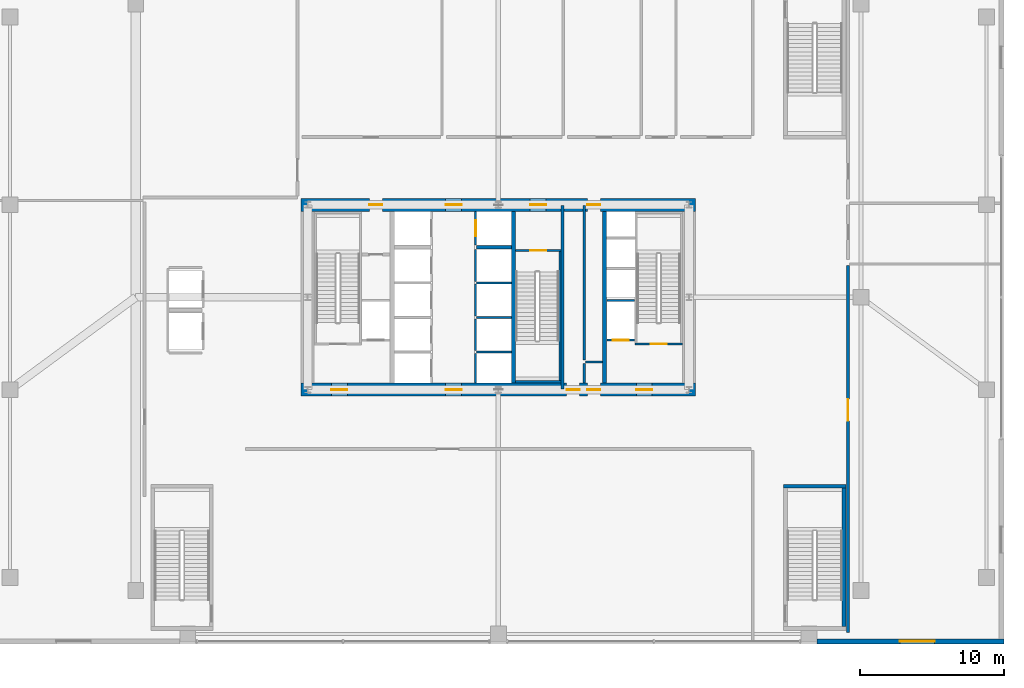
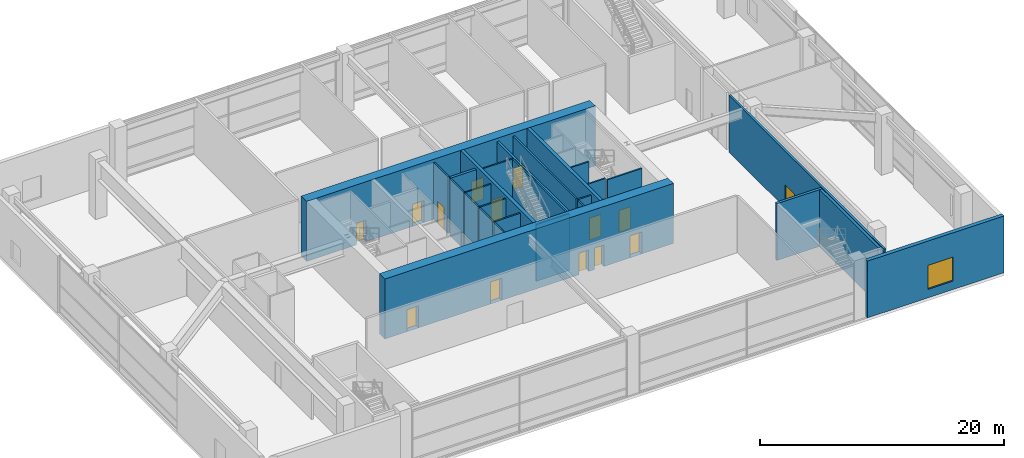
# One storey, part 34 of 39: 27 walls, 14 doors, 1 window, 15 openings.
"""IFC4 building model written with IfcOpenShell, lengths in metres."""

from ifc_helpers import new_model, si_unit, direction, frame, frame_2d, origin, place, context, subcontext, project, spatial, rectangle, extrude, source, transform, mapped, material, layer, layer_set, type_object, element, fill, save


model = new_model("IFC4")

# Units and contexts
model_context = context("Model", 3, precision=1e-05, world=origin(), true_north=direction((0.0, 1.0)))
body_context = subcontext(model_context, "Body", "Model", "MODEL_VIEW")
ifc_project = project(units=[si_unit("LENGTHUNIT", "METRE"), si_unit("AREAUNIT", "SQUARE_METRE"), si_unit("VOLUMEUNIT", "CUBIC_METRE"), si_unit("PLANEANGLEUNIT", "RADIAN"), si_unit("MASSUNIT", "GRAM", prefix="KILO"), si_unit("THERMODYNAMICTEMPERATUREUNIT", "KELVIN"), si_unit("POWERUNIT", "WATT")], contexts=[model_context])

# Site, building, storey
site_placement = place(None, origin())
site = spatial("IfcSite", under=ifc_project, at=site_placement, CompositionType="ELEMENT")
building_placement = place(site_placement, origin())
building = spatial("IfcBuilding", under=site, at=building_placement, Name="Yuzanri Waterfront Tower", CompositionType="ELEMENT")
storey_placement = place(building_placement, frame((0.0, 0.0, 19.800048828125)))
storey = spatial("IfcBuildingStorey", under=building, at=storey_placement, Name="L05", CompositionType="ELEMENT", Elevation=19.800048828125)

# Wall, openings, doors
ifc_material_1 = material(Name="Concrete C60", Category="concrete")
ifc_layer_1 = layer(ifc_material_1, 0.89990234375)
ifc_layer_set_1 = layer_set([ifc_layer_1], Name="Concrete C60")
wall_type_1 = type_object("IfcWallType", Name="Concrete C60 Lower Zone Core Shear Wall 900", PredefinedType="SHEAR", material=ifc_layer_set_1)
wall_1_placement = place(storey_placement, frame((23.35009765625, 19.39990234375, 0.0), z_axis=(0.0, 0.0, 1.0), x_axis=(1.0, 0.0, 0.0)))
wall_1 = element("IfcWall", 1, at=wall_1_placement, inside=storey, type_object=wall_type_1, Name="L05 Core South Shear Wall", PredefinedType="SHEAR", context=body_context, shape_type="SweptSolid", body=[
    extrude(rectangle(XDim=27.2998046875, YDim=0.89990234375, at=frame_2d((13.64990234375, 0.0))), origin(), (0.0, 0.0, 1.0), 6.0),
])
opening_1_placement = place(wall_1_placement, frame((2.10009765625, 0.0, 0.0)))
opening_1 = element("IfcOpeningElement", 2, at=opening_1_placement, cuts=wall_1, Name="Opening FD-1100", PredefinedType="OPENING", context=body_context, shape_type="SweptSolid", body=[
    extrude(rectangle(XDim=1.10009765625, YDim=2.199951171875, at=frame_2d((0.550048828125, 1.10009765625))), frame((0.0, 0.46484375, 0.0), z_axis=(0.0, -1.0, 0.0), x_axis=(1.0, 0.0, 0.0)), (0.0, 0.0, 1.0), 0.9296875),
])
opening_2_placement = place(wall_1_placement, frame((10.0, 0.0, 0.0)))
opening_2 = element("IfcOpeningElement", 3, at=opening_2_placement, cuts=wall_1, Name="Opening FD-1100", PredefinedType="OPENING", context=body_context, shape_type="SweptSolid", body=[
    extrude(rectangle(XDim=1.10009765625, YDim=2.199951171875, at=frame_2d((0.550048828125, 1.10009765625))), frame((0.0, 0.46484375, 0.0), z_axis=(0.0, -1.0, 0.0), x_axis=(1.0, 0.0, 0.0)), (0.0, 0.0, 1.0), 0.9296875),
])
opening_3_placement = place(wall_1_placement, frame((23.199951171875, 0.0, 0.0)))
opening_3 = element("IfcOpeningElement", 4, at=opening_3_placement, cuts=wall_1, Name="Opening FD-1100", PredefinedType="OPENING", context=body_context, shape_type="SweptSolid", body=[
    extrude(rectangle(XDim=1.10009765625, YDim=2.199951171875, at=frame_2d((0.550048828125, 1.10009765625))), frame((0.0, 0.46484375, 0.0), z_axis=(0.0, -1.0, 0.0), x_axis=(1.0, 0.0, 0.0)), (0.0, 0.0, 1.0), 0.9296875),
])
opening_4_placement = place(wall_1_placement, frame((19.820068359375, 0.0, 0.0)))
opening_4 = element("IfcOpeningElement", 5, at=opening_4_placement, cuts=wall_1, Name="Opening FD-0900", PredefinedType="OPENING", context=body_context, shape_type="SweptSolid", body=[
    extrude(rectangle(XDim=0.89990234375, YDim=2.14990234375, at=frame_2d((0.449951171875, 1.074951171875))), frame((0.0, 0.46484375, 0.0), z_axis=(0.0, -1.0, 0.0), x_axis=(1.0, 0.0, 0.0)), (0.0, 0.0, 1.0), 0.9296875),
])
opening_5_placement = place(wall_1_placement, frame((18.3798828125, 0.0, 0.0)))
opening_5 = element("IfcOpeningElement", 6, at=opening_5_placement, cuts=wall_1, Name="Opening FD-0900", PredefinedType="OPENING", context=body_context, shape_type="SweptSolid", body=[
    extrude(rectangle(XDim=0.89990234375, YDim=2.14990234375, at=frame_2d((0.449951171875, 1.074951171875))), frame((0.0, 0.46484375, 0.0), z_axis=(0.0, -1.0, 0.0), x_axis=(1.0, 0.0, 0.0)), (0.0, 0.0, 1.0), 0.9296875),
])
ifc_material_2 = material(Name="Painted Galvanized Fire Steel", Category="steel")
door_type_1 = type_object("IfcDoorType", Name="Smoke-Proof Stair and Lobby Fire Door 1100x2200", OperationType="NOTDEFINED", PredefinedType="DOOR", material=ifc_material_2)
shared_shape_1 = source(origin(), body_context, "Body", "SweptSolid", [
    extrude(rectangle(XDim=1.10009765625, YDim=2.199951171875, at=frame_2d((0.550048828125, 1.10009765625))), frame((0.0, 0.02490234375, 0.0), z_axis=(0.0, -1.0, 0.0), x_axis=(1.0, 0.0, 0.0)), (0.0, 0.0, 1.0), 0.050048828125),
])
door_1_placement = place(opening_1_placement, origin())
door_1 = element("IfcDoor", 7, at=door_1_placement, inside=storey, type_object=door_type_1, Name="L05 West Firefighting Lobby Door", OperationType="SINGLE_SWING_RIGHT", OverallHeight=2.199951171875, OverallWidth=1.10009765625, PredefinedType="DOOR", context=body_context, shape_type="MappedRepresentation", body=[
    mapped(shared_shape_1, transform((0.0, 0.0, 0.0), scale=1.0)),
])
fill(opening_1, door_1)
door_2_placement = place(opening_2_placement, origin())
door_2 = element("IfcDoor", 8, at=door_2_placement, inside=storey, type_object=door_type_1, Name="L05 Central Lift Lobby South Door", OperationType="SINGLE_SWING_LEFT", OverallHeight=2.199951171875, OverallWidth=1.10009765625, PredefinedType="DOOR", context=body_context, shape_type="MappedRepresentation", body=[
    mapped(shared_shape_1, transform((0.0, 0.0, 0.0), scale=1.0)),
])
fill(opening_2, door_2)
door_3_placement = place(opening_3_placement, origin())
door_3 = element("IfcDoor", 9, at=door_3_placement, inside=storey, type_object=door_type_1, Name="L05 East Firefighting Lobby Door", OperationType="SINGLE_SWING_RIGHT", OverallHeight=2.199951171875, OverallWidth=1.10009765625, PredefinedType="DOOR", context=body_context, shape_type="MappedRepresentation", body=[
    mapped(shared_shape_1, transform((0.0, 0.0, 0.0), scale=1.0)),
])
fill(opening_3, door_3)
ifc_material_3 = material(Name="Painted Galvanized Fire Steel", Category="steel")
door_type_2 = type_object("IfcDoorType", Name="Riser and Service Room Fire Door 900x2150", OperationType="NOTDEFINED", PredefinedType="DOOR", material=ifc_material_3)
shared_shape_2 = source(origin(), body_context, "Body", "SweptSolid", [
    extrude(rectangle(XDim=0.89990234375, YDim=2.14990234375, at=frame_2d((0.449951171875, 1.074951171875))), frame((0.0, 0.02490234375, 0.0), z_axis=(0.0, -1.0, 0.0), x_axis=(1.0, 0.0, 0.0)), (0.0, 0.0, 1.0), 0.050048828125),
])
door_4_placement = place(opening_4_placement, origin())
door_4 = element("IfcDoor", 10, at=door_4_placement, inside=storey, type_object=door_type_2, Name="L05 East Wet Riser Door", OperationType="SINGLE_SWING_LEFT", OverallHeight=2.14990234375, OverallWidth=0.89990234375, PredefinedType="DOOR", context=body_context, shape_type="MappedRepresentation", body=[
    mapped(shared_shape_2, transform((0.0, 0.0, 0.0), scale=1.0)),
])
fill(opening_4, door_4)
door_5_placement = place(opening_5_placement, origin())
door_5 = element("IfcDoor", 11, at=door_5_placement, inside=storey, type_object=door_type_2, Name="L05 Cleaners Store Room", OperationType="SINGLE_SWING_RIGHT", OverallHeight=2.14990234375, OverallWidth=0.89990234375, PredefinedType="DOOR", context=body_context, shape_type="MappedRepresentation", body=[
    mapped(shared_shape_2, transform((0.0, 0.0, 0.0), scale=1.0)),
])
fill(opening_5, door_5)

wall_2_placement = place(storey_placement, frame((23.35009765625, 32.199951171875, 0.0), z_axis=(0.0, 0.0, 1.0), x_axis=(1.0, 0.0, 0.0)))
wall_2 = element("IfcWall", 12, at=wall_2_placement, inside=storey, type_object=wall_type_1, Name="L05 Core North Shear Wall", PredefinedType="SHEAR", context=body_context, shape_type="SweptSolid", body=[
    extrude(rectangle(XDim=27.2998046875, YDim=0.89990234375, at=frame_2d((13.64990234375, 0.0))), origin(), (0.0, 0.0, 1.0), 6.0),
])
opening_6_placement = place(wall_2_placement, frame((4.719970703125, 0.0, 0.0)))
opening_6 = element("IfcOpeningElement", 13, at=opening_6_placement, cuts=wall_2, Name="Opening FD-0900", PredefinedType="OPENING", context=body_context, shape_type="SweptSolid", body=[
    extrude(rectangle(XDim=0.89990234375, YDim=2.14990234375, at=frame_2d((0.449951171875, 1.074951171875))), frame((0.0, 0.46484375, 0.0), z_axis=(0.0, -1.0, 0.0), x_axis=(1.0, 0.0, 0.0)), (0.0, 0.0, 1.0), 0.9296875),
])
opening_7_placement = place(wall_2_placement, frame((10.0, 0.0, 0.0)))
opening_7 = element("IfcOpeningElement", 14, at=opening_7_placement, cuts=wall_2, Name="Opening FD-1100", PredefinedType="OPENING", context=body_context, shape_type="SweptSolid", body=[
    extrude(rectangle(XDim=1.10009765625, YDim=2.199951171875, at=frame_2d((0.550048828125, 1.10009765625))), frame((0.0, 0.46484375, 0.0), z_axis=(0.0, -1.0, 0.0), x_axis=(1.0, 0.0, 0.0)), (0.0, 0.0, 1.0), 0.9296875),
])
opening_8_placement = place(wall_2_placement, frame((15.85009765625, 0.0, 0.0)))
opening_8 = element("IfcOpeningElement", 15, at=opening_8_placement, cuts=wall_2, Name="Opening FD-1100", PredefinedType="OPENING", context=body_context, shape_type="SweptSolid", body=[
    extrude(rectangle(XDim=1.10009765625, YDim=2.199951171875, at=frame_2d((0.550048828125, 1.10009765625))), frame((0.0, 0.46484375, 0.0), z_axis=(0.0, -1.0, 0.0), x_axis=(1.0, 0.0, 0.0)), (0.0, 0.0, 1.0), 0.9296875),
])
opening_9_placement = place(wall_2_placement, frame((19.820068359375, 0.0, 0.0)))
opening_9 = element("IfcOpeningElement", 16, at=opening_9_placement, cuts=wall_2, Name="Opening FD-0900", PredefinedType="OPENING", context=body_context, shape_type="SweptSolid", body=[
    extrude(rectangle(XDim=0.89990234375, YDim=2.14990234375, at=frame_2d((0.449951171875, 1.074951171875))), frame((0.0, 0.46484375, 0.0), z_axis=(0.0, -1.0, 0.0), x_axis=(1.0, 0.0, 0.0)), (0.0, 0.0, 1.0), 0.9296875),
])
door_6_placement = place(opening_7_placement, origin())
door_6 = element("IfcDoor", 17, at=door_6_placement, inside=storey, type_object=door_type_1, Name="L05 Central Lift Lobby North Door", OperationType="SINGLE_SWING_RIGHT", OverallHeight=2.199951171875, OverallWidth=1.10009765625, PredefinedType="DOOR", context=body_context, shape_type="MappedRepresentation", body=[
    mapped(shared_shape_1, transform((0.0, 0.0, 0.0), scale=1.0)),
])
fill(opening_7, door_6)
door_7_placement = place(opening_8_placement, origin())
door_7 = element("IfcDoor", 18, at=door_7_placement, inside=storey, type_object=door_type_1, Name="L05 North Stair Lobby Door", OperationType="SINGLE_SWING_LEFT", OverallHeight=2.199951171875, OverallWidth=1.10009765625, PredefinedType="DOOR", context=body_context, shape_type="MappedRepresentation", body=[
    mapped(shared_shape_1, transform((0.0, 0.0, 0.0), scale=1.0)),
])
fill(opening_8, door_7)
door_8_placement = place(opening_6_placement, origin())
door_8 = element("IfcDoor", 19, at=door_8_placement, inside=storey, type_object=door_type_2, Name="L05 Telecom Riser Door", OperationType="SINGLE_SWING_LEFT", OverallHeight=2.14990234375, OverallWidth=0.89990234375, PredefinedType="DOOR", context=body_context, shape_type="MappedRepresentation", body=[
    mapped(shared_shape_2, transform((0.0, 0.0, 0.0), scale=1.0)),
])
fill(opening_6, door_8)
door_9_placement = place(opening_9_placement, origin())
door_9 = element("IfcDoor", 20, at=door_9_placement, inside=storey, type_object=door_type_2, Name="L05 Linen Store Room", OperationType="SINGLE_SWING_LEFT", OverallHeight=2.14990234375, OverallWidth=0.89990234375, PredefinedType="DOOR", context=body_context, shape_type="MappedRepresentation", body=[
    mapped(shared_shape_2, transform((0.0, 0.0, 0.0), scale=1.0)),
])
fill(opening_9, door_9)

# Wall, opening, door
ifc_material_4 = material(Name="Concrete C40", Category="concrete")
ifc_layer_2 = layer(ifc_material_4, 0.139892578125)
ifc_layer_set_2 = layer_set([ifc_layer_2], Name="Concrete C40")
wall_type_2 = type_object("IfcWallType", Name="Core Stair Liner and Hoistway Shaft Wall 140", PredefinedType="SOLIDWALL", material=ifc_layer_set_2)
wall_3_placement = place(storey_placement, frame((44.52001953125, 22.830078125, 0.0), z_axis=(0.0, 0.0, 1.0), x_axis=(1.0, 0.0, 0.0)))
wall_3 = element("IfcWall", 21, at=wall_3_placement, inside=storey, type_object=wall_type_2, Name="L05 Lift FL-02 Front Shaft Wall", PredefinedType="SOLIDWALL", context=body_context, shape_type="SweptSolid", body=[
    extrude(rectangle(XDim=1.919921875, YDim=0.139892578125, at=frame_2d((0.9599609375, 0.0))), origin(), (0.0, 0.0, 1.0), 5.679931640625),
])
opening_10_placement = place(wall_3_placement, frame((0.409912109375, 0.0, 0.0)))
opening_10 = element("IfcOpeningElement", 22, at=opening_10_placement, cuts=wall_3, Name="Opening LD-FL-02", PredefinedType="OPENING", context=body_context, shape_type="SweptSolid", body=[
    extrude(rectangle(XDim=1.10009765625, YDim=2.199951171875, at=frame_2d((0.550048828125, 1.10009765625))), frame((0.0, 0.0849609375, 0.0), z_axis=(0.0, -1.0, 0.0), x_axis=(1.0, 0.0, 0.0)), (0.0, 0.0, 1.0), 0.169677734375),
])
ifc_material_5 = material(Name="Brushed Bronze and Stainless Steel Cab", Category="steel")
door_type_3 = type_object("IfcDoorType", Name="Center-Parting Bronze Lift Landing Sliding Door 1100x2200", OperationType="NOTDEFINED", PredefinedType="DOOR", material=ifc_material_5)
shared_shape_3 = source(origin(), body_context, "Body", "SweptSolid", [
    extrude(rectangle(XDim=1.10009765625, YDim=2.199951171875, at=frame_2d((0.550048828125, 1.10009765625))), frame((0.0, 0.02490234375, 0.0), z_axis=(0.0, -1.0, 0.0), x_axis=(1.0, 0.0, 0.0)), (0.0, 0.0, 1.0), 0.050048828125),
])
door_10_placement = place(opening_10_placement, origin())
door_10 = element("IfcDoor", 23, at=door_10_placement, inside=storey, type_object=door_type_3, Name="L05 FL-02 Lift Landing Sliding Door", OperationType="SLIDING_TO_RIGHT", OverallHeight=2.199951171875, OverallWidth=1.10009765625, PredefinedType="DOOR", context=body_context, shape_type="MappedRepresentation", body=[
    mapped(shared_shape_3, transform((0.0, 0.0, 0.0), scale=1.0)),
])
fill(opening_10, door_10)

wall_4_placement = place(storey_placement, frame((35.429931640625, 29.39990234375, 0.0), z_axis=(0.0, 0.0, 1.0), x_axis=(0.0, 1.0, 0.0)))
wall_4 = element("IfcWall", 24, at=wall_4_placement, inside=storey, type_object=wall_type_2, Name="L05 Lift SL-02 Front Shaft Wall", PredefinedType="SOLIDWALL", context=body_context, shape_type="SweptSolid", body=[
    extrude(rectangle(XDim=2.340087890625, YDim=0.139892578125, at=frame_2d((1.169921875, 0.0))), origin(), (0.0, 0.0, 1.0), 5.679931640625),
])
opening_11_placement = place(wall_4_placement, frame((0.6201171875, 0.0, 0.0)))
opening_11 = element("IfcOpeningElement", 25, at=opening_11_placement, cuts=wall_4, Name="Opening LD-SL-02", PredefinedType="OPENING", context=body_context, shape_type="SweptSolid", body=[
    extrude(rectangle(XDim=1.10009765625, YDim=2.199951171875, at=frame_2d((0.550048828125, 1.10009765625))), frame((0.0, 0.0849609375, 0.0), z_axis=(0.0, -1.0, 0.0), x_axis=(1.0, 0.0, 0.0)), (0.0, 0.0, 1.0), 0.169677734375),
])
door_11_placement = place(opening_11_placement, origin())
door_11 = element("IfcDoor", 26, at=door_11_placement, inside=storey, type_object=door_type_3, Name="L05 SL-02 Lift Landing Sliding Door", OperationType="SLIDING_TO_RIGHT", OverallHeight=2.199951171875, OverallWidth=1.10009765625, PredefinedType="DOOR", context=body_context, shape_type="MappedRepresentation", body=[
    mapped(shared_shape_3, transform((0.0, 0.0, 0.0), scale=1.0)),
])
fill(opening_11, door_11)

wall_5_placement = place(storey_placement, frame((46.4599609375, 22.570068359375, 0.0), z_axis=(0.0, 0.0, 1.0), x_axis=(1.0, 0.0, 0.0)))
wall_5 = element("IfcWall", 27, at=wall_5_placement, inside=storey, type_object=wall_type_2, Name="L05 Shaft Wall STW-L05-ST-02-S", PredefinedType="SOLIDWALL", context=body_context, shape_type="SweptSolid", body=[
    extrude(rectangle(XDim=3.280029296875, YDim=0.139892578125, at=frame_2d((1.64013671875, 0.0))), origin(), (0.0, 0.0, 1.0), 5.679931640625),
])
opening_12_placement = place(wall_5_placement, frame((1.090087890625, 0.0, 0.0)))
opening_12 = element("IfcOpeningElement", 28, at=opening_12_placement, cuts=wall_5, Name="Opening FD-1100", PredefinedType="OPENING", context=body_context, shape_type="SweptSolid", body=[
    extrude(rectangle(XDim=1.10009765625, YDim=2.199951171875, at=frame_2d((0.550048828125, 1.10009765625))), frame((0.0, 0.0849609375, 0.0), z_axis=(0.0, -1.0, 0.0), x_axis=(1.0, 0.0, 0.0)), (0.0, 0.0, 1.0), 0.169677734375),
])
door_12_placement = place(opening_12_placement, origin())
door_12 = element("IfcDoor", 29, at=door_12_placement, inside=storey, type_object=door_type_1, Name="L05 Stair ST-02 Fire Door", OperationType="SINGLE_SWING_LEFT", OverallHeight=2.199951171875, OverallWidth=1.10009765625, PredefinedType="DOOR", context=body_context, shape_type="MappedRepresentation", body=[
    mapped(shared_shape_1, transform((0.0, 0.0, 0.0), scale=1.0)),
])
fill(opening_12, door_12)

wall_6_placement = place(storey_placement, frame((38.199951171875, 29.030029296875, 0.0), z_axis=(0.0, 0.0, 1.0), x_axis=(1.0, 0.0, 0.0)))
wall_6 = element("IfcWall", 30, at=wall_6_placement, inside=storey, type_object=wall_type_2, Name="L05 Shaft Wall STW-L05-ST-03-N", PredefinedType="SOLIDWALL", context=body_context, shape_type="SweptSolid", body=[
    extrude(rectangle(XDim=3.14013671875, YDim=0.139892578125, at=frame_2d((1.570068359375, 0.0))), origin(), (0.0, 0.0, 1.0), 5.679931640625),
])
opening_13_placement = place(wall_6_placement, frame((1.02001953125, 0.0, 0.0)))
opening_13 = element("IfcOpeningElement", 31, at=opening_13_placement, cuts=wall_6, Name="Opening FD-1100", PredefinedType="OPENING", context=body_context, shape_type="SweptSolid", body=[
    extrude(rectangle(XDim=1.10009765625, YDim=2.199951171875, at=frame_2d((0.550048828125, 1.10009765625))), frame((0.0, 0.0849609375, 0.0), z_axis=(0.0, -1.0, 0.0), x_axis=(1.0, 0.0, 0.0)), (0.0, 0.0, 1.0), 0.169677734375),
])
door_13_placement = place(opening_13_placement, origin())
door_13 = element("IfcDoor", 32, at=door_13_placement, inside=storey, type_object=door_type_1, Name="L05 Stair ST-03 Fire Door", OperationType="SINGLE_SWING_RIGHT", OverallHeight=2.199951171875, OverallWidth=1.10009765625, PredefinedType="DOOR", context=body_context, shape_type="MappedRepresentation", body=[
    mapped(shared_shape_1, transform((0.0, 0.0, 0.0), scale=1.0)),
])
fill(opening_13, door_13)

ifc_material_6 = material(Name="Autoclaved Aerated Concrete Blockwork", Category="masonry")
ifc_layer_3 = layer(ifc_material_6, 0.199951171875)
ifc_layer_set_3 = layer_set([ifc_layer_3], Name="Autoclaved Aerated Concrete Blockwork")
wall_type_3 = type_object("IfcWallType", Name="Corridor and Unit Party Fire Wall 200", PredefinedType="PARTITIONING", material=ifc_layer_set_3)
wall_7_placement = place(storey_placement, frame((61.199951171875, 2.60009765625, 0.0), z_axis=(0.0, 0.0, 1.0), x_axis=(0.0, 1.0, 0.0)))
wall_7 = element("IfcWall", 33, at=wall_7_placement, inside=storey, type_object=wall_type_3, Name="L05 Partition PRW-L05-030-W", PredefinedType="PARTITIONING", context=body_context, shape_type="SweptSolid", body=[
    extrude(rectangle(XDim=25.39990234375, YDim=0.199951171875, at=frame_2d((12.699951171875, 0.0))), origin(), (0.0, 0.0, 1.0), 5.679931640625),
])
opening_14_placement = place(wall_7_placement, frame((14.64990234375, 0.0, 0.0)))
opening_14 = element("IfcOpeningElement", 34, at=opening_14_placement, cuts=wall_7, Name="Opening FD-1500", PredefinedType="OPENING", context=body_context, shape_type="SweptSolid", body=[
    extrude(rectangle(XDim=1.5, YDim=2.300048828125, at=frame_2d((0.75, 1.14990234375))), frame((0.0, 0.11474609375, 0.0), z_axis=(0.0, -1.0, 0.0), x_axis=(1.0, 0.0, 0.0)), (0.0, 0.0, 1.0), 0.229736328125),
])
ifc_material_7 = material(Name="Painted Galvanized Fire Steel", Category="steel")
door_type_4 = type_object("IfcDoorType", Name="Plant and Ballroom Double Fire Door 1500x2300", OperationType="NOTDEFINED", PredefinedType="DOOR", material=ifc_material_7)
shared_shape_4 = source(origin(), body_context, "Body", "SweptSolid", [
    extrude(rectangle(XDim=1.5, YDim=2.300048828125, at=frame_2d((0.75, 1.14990234375))), frame((0.0, 0.02490234375, 0.0), z_axis=(0.0, -1.0, 0.0), x_axis=(1.0, 0.0, 0.0)), (0.0, 0.0, 1.0), 0.050048828125),
])
door_14_placement = place(opening_14_placement, origin())
door_14 = element("IfcDoor", 35, at=door_14_placement, inside=storey, type_object=door_type_4, Name="L05 Junior Riverfront Ballroom", OperationType="DOUBLE_DOOR_SINGLE_SWING", OverallHeight=2.300048828125, OverallWidth=1.5, PredefinedType="DOOR", context=body_context, shape_type="MappedRepresentation", body=[
    mapped(shared_shape_4, transform((0.0, 0.0, 0.0), scale=1.0)),
])
fill(opening_14, door_14)

# Wall, opening, window
ifc_material_8 = material(Name="Honed Chongqing Dark Basalt Stone", Category="masonry")
ifc_layer_4 = layer(ifc_material_8, 0.360107421875)
ifc_layer_set_4 = layer_set([ifc_layer_4], Name="Honed Chongqing Dark Basalt Stone")
wall_type_4 = type_object("IfcWallType", Name="Honed Basalt Stone Masonry-Frame Spandrel Wall 360", PredefinedType="SOLIDWALL", material=ifc_layer_set_4)
wall_8_placement = place(storey_placement, frame((59.070068359375, 1.97998046875, 0.0), z_axis=(0.0, 0.0, 1.0), x_axis=(1.0, 0.0, 0.0)))
wall_8 = element("IfcWall", 36, at=wall_8_placement, inside=storey, type_object=wall_type_4, Name="L05 South-East Basalt Pier", PredefinedType="SOLIDWALL", context=body_context, shape_type="SweptSolid", body=[
    extrude(rectangle(XDim=12.929931640625, YDim=0.360107421875, at=frame_2d((6.46484375, 0.0))), origin(), (0.0, 0.0, 1.0), 5.679931640625),
])
opening_15_placement = place(wall_8_placement, frame((5.72998046875, 0.0, 0.85009765625)))
opening_15 = element("IfcOpeningElement", 37, at=opening_15_placement, cuts=wall_8, Name="Opening WN-03", PredefinedType="OPENING", context=body_context, shape_type="SweptSolid", body=[
    extrude(rectangle(XDim=2.39990234375, YDim=2.39990234375, at=frame_2d((1.199951171875, 1.199951171875))), frame((0.0, 0.19482421875, 0.0), z_axis=(0.0, -1.0, 0.0), x_axis=(1.0, 0.0, 0.0)), (0.0, 0.0, 1.0), 0.389892578125),
])
ifc_material_9 = material(Name="Double-Silver Low-E Insulated Glass", Category="glass")
window_type = type_object("IfcWindowType", Name="Anodized Bronze Podium Waterfront Picture Window 2400x2400", PartitioningType="SINGLE_PANEL", PredefinedType="WINDOW", material=ifc_material_9)
shared_shape_5 = source(origin(), body_context, "Body", "SweptSolid", [
    extrude(rectangle(XDim=2.39990234375, YDim=2.39990234375, at=frame_2d((1.199951171875, 1.199951171875))), frame((0.0, 0.030029296875, 0.0), z_axis=(0.0, -1.0, 0.0), x_axis=(1.0, 0.0, 0.0)), (0.0, 0.0, 1.0), 0.06005859375),
])
window_placement = place(opening_15_placement, origin())
window = element("IfcWindow", 38, at=window_placement, inside=storey, type_object=window_type, Name="L05 SE Waterfront Window", OverallHeight=2.39990234375, OverallWidth=2.39990234375, PartitioningType="SINGLE_PANEL", PredefinedType="WINDOW", context=body_context, shape_type="MappedRepresentation", body=[
    mapped(shared_shape_5, transform((0.0, 0.0, 0.0), scale=1.0)),
])
fill(opening_15, window)

# Walls
ifc_material_10 = material(Name="Concrete C50", Category="concrete")
ifc_layer_5 = layer(ifc_material_10, 0.300048828125)
ifc_layer_set_5 = layer_set([ifc_layer_5], Name="Concrete C50")
wall_type_5 = type_object("IfcWallType", Name="Concrete C50 Internal Core Shaft Structural Wall 300", PredefinedType="SOLIDWALL", material=ifc_layer_set_5)
shared_shape_6 = source(origin(), body_context, "Body", "SweptSolid", [
    extrude(rectangle(XDim=11.89990234375, YDim=0.300048828125, at=frame_2d((5.949951171875, 0.0))), origin(), (0.0, 0.0, 1.0), 6.0),
])
for number, where, z_axis, x_axis, name in (
    (39, (38.050048828125, 19.85009765625, 0.0), (0.0, 0.0, 1.0), (0.0, 1.0, 0.0), "L05 Core Internal Structural Web Wall 2"),
    (40, (44.35009765625, 19.85009765625, 0.0), (0.0, 0.0, 1.0), (0.0, 1.0, 0.0), "L05 Core Internal Structural Web Wall 3"),
):
    element("IfcWall", number, at=place(storey_placement, frame(where, z_axis=z_axis, x_axis=x_axis)), inside=storey, type_object=wall_type_5, Name=name, PredefinedType="SOLIDWALL", context=body_context, shape_type="MappedRepresentation", body=[
        mapped(shared_shape_6, transform((0.0, 0.0, 0.0), scale=1.0)),
    ])
shared_shape_7 = source(origin(), body_context, "Body", "SweptSolid", [
    extrude(rectangle(XDim=1.919921875, YDim=0.139892578125, at=frame_2d((0.9599609375, 0.0))), origin(), (0.0, 0.0, 1.0), 5.679931640625),
])
wall_9_placement = place(storey_placement, frame((44.52001953125, 25.570068359375, 0.0), z_axis=(0.0, 0.0, 1.0), x_axis=(1.0, 0.0, 0.0)))
element("IfcWall", 41, at=wall_9_placement, inside=storey, type_object=wall_type_2, Name="L05 Lift FL-02 Back Shaft Wall", PredefinedType="SOLIDWALL", context=body_context, shape_type="MappedRepresentation", body=[
    mapped(shared_shape_7, transform((0.0, 0.0, 0.0), scale=1.0)),
])
shared_shape_8 = source(origin(), body_context, "Body", "SweptSolid", [
    extrude(rectangle(XDim=2.039794921875, YDim=0.139892578125, at=frame_2d((1.02001953125, 0.0))), origin(), (0.0, 0.0, 1.0), 5.679931640625),
])
wall_10_placement = place(storey_placement, frame((35.429931640625, 19.860107421875, 0.0), z_axis=(0.0, 0.0, 1.0), x_axis=(0.0, 1.0, 0.0)))
element("IfcWall", 42, at=wall_10_placement, inside=storey, type_object=wall_type_2, Name="L05 Lift PL-05 Front Shaft Wall", PredefinedType="SOLIDWALL", context=body_context, shape_type="MappedRepresentation", body=[
    mapped(shared_shape_8, transform((0.0, 0.0, 0.0), scale=1.0)),
])
shared_shape_9 = source(origin(), body_context, "Body", "SweptSolid", [
    extrude(rectangle(XDim=2.39990234375, YDim=0.139892578125, at=frame_2d((1.199951171875, 0.0))), origin(), (0.0, 0.0, 1.0), 5.679931640625),
])
for number, where, z_axis, x_axis, name in (
    (43, (35.5, 22.0, 0.0), (0.0, 0.0, 1.0), (1.0, 0.0, 0.0), "L05 Lift PL-05 Divider Wall"),
    (44, (35.5, 24.39990234375, 0.0), (0.0, 0.0, 1.0), (1.0, 0.0, 0.0), "L05 Lift PL-06 Divider Wall"),
    (45, (35.5, 26.800048828125, 0.0), (0.0, 0.0, 1.0), (1.0, 0.0, 0.0), "L05 Lift PL-07 Divider Wall"),
):
    element("IfcWall", number, at=place(storey_placement, frame(where, z_axis=z_axis, x_axis=x_axis)), inside=storey, type_object=wall_type_2, Name=name, PredefinedType="SOLIDWALL", context=body_context, shape_type="MappedRepresentation", body=[
        mapped(shared_shape_9, transform((0.0, 0.0, 0.0), scale=1.0)),
    ])
shared_shape_10 = source(origin(), body_context, "Body", "SweptSolid", [
    extrude(rectangle(XDim=2.199951171875, YDim=0.139892578125, at=frame_2d((1.10009765625, 0.0))), origin(), (0.0, 0.0, 1.0), 5.679931640625),
])
for number, where, z_axis, x_axis, name in (
    (46, (35.429931640625, 22.10009765625, 0.0), (0.0, 0.0, 1.0), (0.0, 1.0, 0.0), "L05 Lift PL-06 Front Shaft Wall"),
    (47, (35.429931640625, 24.5, 0.0), (0.0, 0.0, 1.0), (0.0, 1.0, 0.0), "L05 Lift PL-07 Front Shaft Wall"),
):
    element("IfcWall", number, at=place(storey_placement, frame(where, z_axis=z_axis, x_axis=x_axis)), inside=storey, type_object=wall_type_2, Name=name, PredefinedType="SOLIDWALL", context=body_context, shape_type="MappedRepresentation", body=[
        mapped(shared_shape_10, transform((0.0, 0.0, 0.0), scale=1.0)),
    ])
shared_shape_11 = source(origin(), body_context, "Body", "SweptSolid", [
    extrude(rectangle(XDim=2.2001953125, YDim=0.139892578125, at=frame_2d((1.10009765625, 0.0))), origin(), (0.0, 0.0, 1.0), 5.679931640625),
])
wall_11_placement = place(storey_placement, frame((35.429931640625, 26.89990234375, 0.0), z_axis=(0.0, 0.0, 1.0), x_axis=(0.0, 1.0, 0.0)))
element("IfcWall", 48, at=wall_11_placement, inside=storey, type_object=wall_type_2, Name="L05 Lift PL-08 Front Shaft Wall", PredefinedType="SOLIDWALL", context=body_context, shape_type="MappedRepresentation", body=[
    mapped(shared_shape_11, transform((0.0, 0.0, 0.0), scale=1.0)),
])
ifc_material_11 = material(Name="Concrete C40", Category="concrete")
ifc_layer_6 = layer(ifc_material_11, 0.25)
ifc_layer_set_6 = layer_set([ifc_layer_6], Name="Concrete C40")
wall_type_6 = type_object("IfcWallType", Name="Smoke-Proof Stair and Lift Shaft Wall 250", PredefinedType="SOLIDWALL", material=ifc_layer_set_6)
shared_shape_12 = source(origin(), body_context, "Body", "SweptSolid", [
    extrude(rectangle(XDim=2.39990234375, YDim=0.25, at=frame_2d((1.199951171875, 0.0))), origin(), (0.0, 0.0, 1.0), 5.679931640625),
])
wall_12_placement = place(storey_placement, frame((35.5, 29.25, 0.0), z_axis=(0.0, 0.0, 1.0), x_axis=(1.0, 0.0, 0.0)))
element("IfcWall", 49, at=wall_12_placement, inside=storey, type_object=wall_type_6, Name="L05 Lift SL-02 South Shaft Wall", PredefinedType="SOLIDWALL", context=body_context, shape_type="MappedRepresentation", body=[
    mapped(shared_shape_12, transform((0.0, 0.0, 0.0), scale=1.0)),
])
shared_shape_13 = source(origin(), body_context, "Body", "SweptSolid", [
    extrude(rectangle(XDim=3.14013671875, YDim=0.139892578125, at=frame_2d((1.570068359375, 0.0))), origin(), (0.0, 0.0, 1.0), 5.679931640625),
])
wall_13_placement = place(storey_placement, frame((38.199951171875, 19.949951171875, 0.0), z_axis=(0.0, 0.0, 1.0), x_axis=(1.0, 0.0, 0.0)))
element("IfcWall", 50, at=wall_13_placement, inside=storey, type_object=wall_type_2, Name="L05 Stair ST-03 South Shaft Wall", PredefinedType="SOLIDWALL", context=body_context, shape_type="MappedRepresentation", body=[
    mapped(shared_shape_13, transform((0.0, 0.0, 0.0), scale=1.0)),
])
shared_shape_14 = source(origin(), body_context, "Body", "SweptSolid", [
    extrude(rectangle(XDim=8.93994140625, YDim=0.139892578125, at=frame_2d((4.469970703125, 0.0))), origin(), (0.0, 0.0, 1.0), 5.679931640625),
])
wall_14_placement = place(storey_placement, frame((41.27001953125, 20.02001953125, 0.0), z_axis=(0.0, 0.0, 1.0), x_axis=(0.0, 1.0, 0.0)))
element("IfcWall", 51, at=wall_14_placement, inside=storey, type_object=wall_type_2, Name="L05 Stair ST-03 East Shaft Wall", PredefinedType="SOLIDWALL", context=body_context, shape_type="MappedRepresentation", body=[
    mapped(shared_shape_14, transform((0.0, 0.0, 0.0), scale=1.0)),
])
shared_shape_15 = source(origin(), body_context, "Body", "SweptSolid", [
    extrude(rectangle(XDim=4.300048828125, YDim=0.25, at=frame_2d((2.14990234375, 0.0))), origin(), (0.0, 0.0, 1.0), 5.679931640625),
])
wall_15_placement = place(storey_placement, frame((56.75, 12.72509765625, 0.0), z_axis=(0.0, 0.0, 1.0), x_axis=(1.0, 0.0, 0.0)))
element("IfcWall", 52, at=wall_15_placement, inside=storey, type_object=wall_type_6, Name="L05 PST-02 North Wall", PredefinedType="SOLIDWALL", context=body_context, shape_type="MappedRepresentation", body=[
    mapped(shared_shape_15, transform((0.0, 0.0, 0.0), scale=1.0)),
])
shared_shape_16 = source(origin(), body_context, "Body", "SweptSolid", [
    extrude(rectangle(XDim=9.60009765625, YDim=0.25, at=frame_2d((4.800048828125, 0.0))), origin(), (0.0, 0.0, 1.0), 5.679931640625),
])
wall_16_placement = place(storey_placement, frame((60.925048828125, 3.0, 0.0), z_axis=(0.0, 0.0, 1.0), x_axis=(0.0, 1.0, 0.0)))
element("IfcWall", 53, at=wall_16_placement, inside=storey, type_object=wall_type_6, Name="L05 Shaft Wall PSTW-L05-PST-02-E", PredefinedType="SOLIDWALL", context=body_context, shape_type="MappedRepresentation", body=[
    mapped(shared_shape_16, transform((0.0, 0.0, 0.0), scale=1.0)),
])
ifc_material_12 = material(Name="Gypsum Fireboard Acoustic Stud Wall", Category="gypsum")
ifc_layer_7 = layer(ifc_material_12, 0.159912109375)
ifc_layer_set_7 = layer_set([ifc_layer_7], Name="Gypsum Fireboard Acoustic Stud Wall")
wall_type_7 = type_object("IfcWallType", Name="Acoustic Suite Demising Partition 160", PredefinedType="PARTITIONING", material=ifc_layer_set_7)
shared_shape_17 = source(origin(), body_context, "Body", "SweptSolid", [
    extrude(rectangle(XDim=1.33984375, YDim=0.159912109375, at=frame_2d((0.669921875, 0.0))), origin(), (0.0, 0.0, 1.0), 5.679931640625),
])
wall_17_placement = place(storey_placement, frame((42.949951171875, 19.860107421875, 0.0), z_axis=(0.0, 0.0, 1.0), x_axis=(0.0, 1.0, 0.0)))
element("IfcWall", 54, at=wall_17_placement, inside=storey, type_object=wall_type_7, Name="L05 East Wet Riser West Wall", PredefinedType="PARTITIONING", context=body_context, shape_type="MappedRepresentation", body=[
    mapped(shared_shape_17, transform((0.0, 0.0, 0.0), scale=1.0)),
])
shared_shape_18 = source(origin(), body_context, "Body", "SweptSolid", [
    extrude(rectangle(XDim=1.169921875, YDim=0.159912109375, at=frame_2d((0.5849609375, 0.0))), origin(), (0.0, 0.0, 1.0), 5.679931640625),
])
wall_18_placement = place(storey_placement, frame((43.030029296875, 21.320068359375, 0.0), z_axis=(0.0, 0.0, 1.0), x_axis=(1.0, 0.0, 0.0)))
element("IfcWall", 55, at=wall_18_placement, inside=storey, type_object=wall_type_7, Name="L05 East Wet Riser North Wall", PredefinedType="PARTITIONING", context=body_context, shape_type="MappedRepresentation", body=[
    mapped(shared_shape_18, transform((0.0, 0.0, 0.0), scale=1.0)),
])
shared_shape_19 = source(origin(), body_context, "Body", "SweptSolid", [
    extrude(rectangle(XDim=12.719970703125, YDim=0.199951171875, at=frame_2d((6.35986328125, 0.0))), origin(), (0.0, 0.0, 1.0), 5.679931640625),
])
wall_19_placement = place(storey_placement, frame((41.449951171875, 19.43994140625, 0.0), z_axis=(0.0, 0.0, 1.0), x_axis=(0.0, 1.0, 0.0)))
element("IfcWall", 56, at=wall_19_placement, inside=storey, type_object=wall_type_3, Name="L05 Core BOH West Wall 1", PredefinedType="PARTITIONING", context=body_context, shape_type="MappedRepresentation", body=[
    mapped(shared_shape_19, transform((0.0, 0.0, 0.0), scale=1.0)),
])
shared_shape_20 = source(origin(), body_context, "Body", "SweptSolid", [
    extrude(rectangle(XDim=10.719970703125, YDim=0.159912109375, at=frame_2d((5.35986328125, 0.0))), origin(), (0.0, 0.0, 1.0), 5.679931640625),
])
wall_20_placement = place(storey_placement, frame((42.949951171875, 21.43994140625, 0.0), z_axis=(0.0, 0.0, 1.0), x_axis=(0.0, 1.0, 0.0)))
element("IfcWall", 57, at=wall_20_placement, inside=storey, type_object=wall_type_7, Name="L05 Core BOH Mid Wall 2", PredefinedType="PARTITIONING", context=body_context, shape_type="MappedRepresentation", body=[
    mapped(shared_shape_20, transform((0.0, 0.0, 0.0), scale=1.0)),
])

save(model, "model.ifc")
